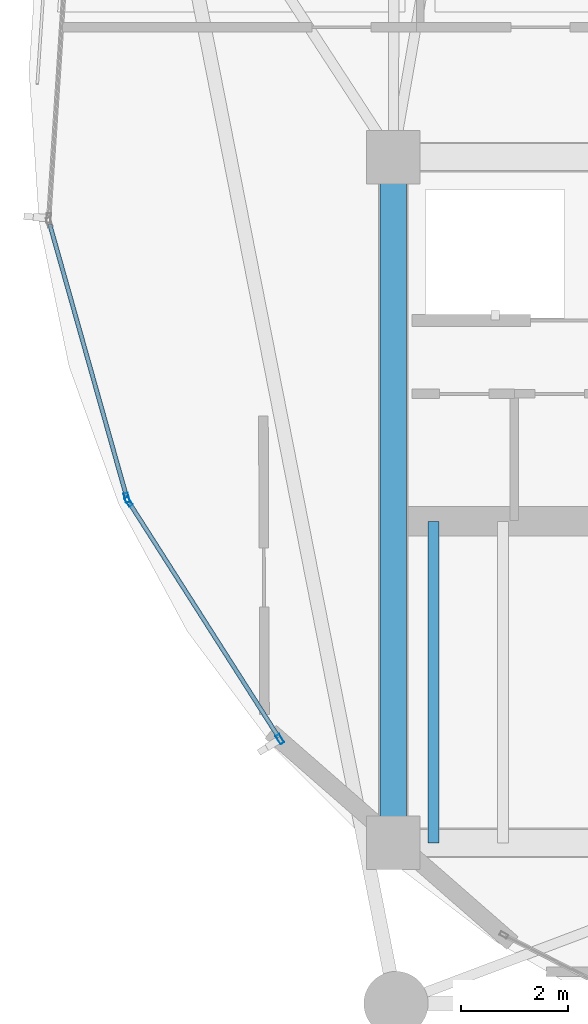
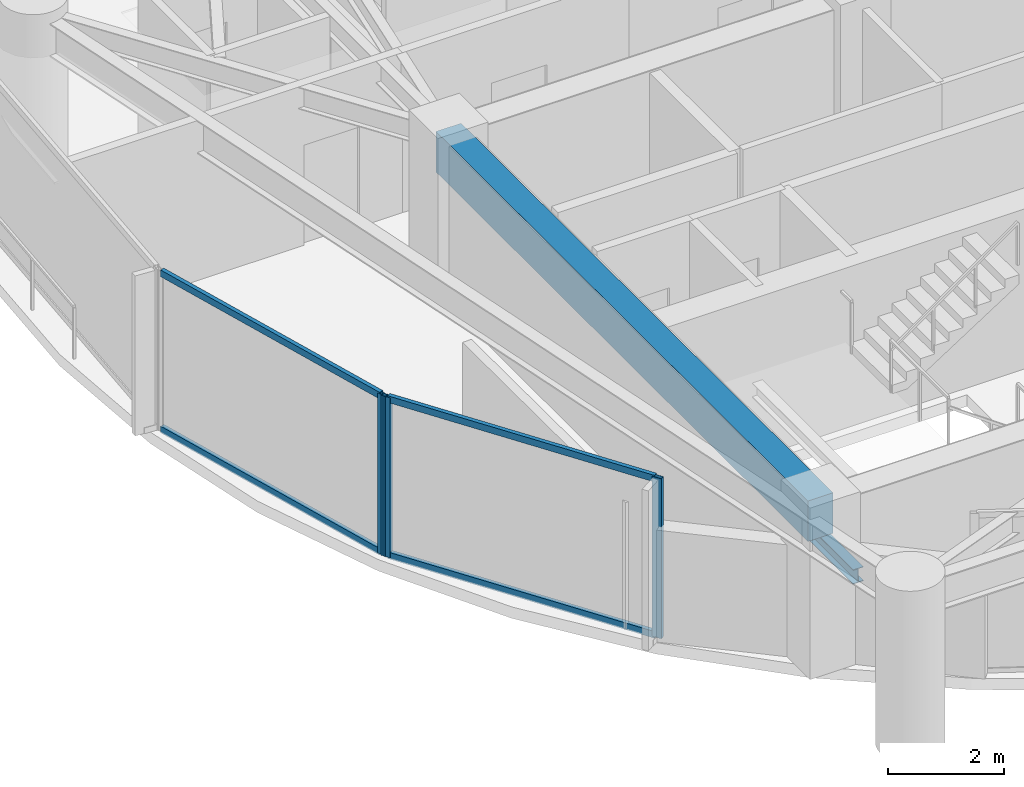
# One storey, part 3 of 30: 7 members, 2 beams, 2 elements without a shape of their own.
"""IFC4 building model written with IfcOpenShell, lengths in metres."""

from ifc_helpers import new_model, si_unit, direction, frame, origin, origin_2d, place, context, subcontext, project, spatial, rectangle, hollow_rectangle, i_section, extrude, material, layer, layer_set, material_profile, profile_set, type_object, element, aggregate, save


model = new_model("IFC4")

# Units and contexts
model_context = context("Model", 3, precision=1e-05, world=origin(), true_north=direction((0.0, 1.0)))
body_context = subcontext(model_context, "Body", "Model", "MODEL_VIEW")
ifc_project = project(units=[si_unit("LENGTHUNIT", "METRE"), si_unit("AREAUNIT", "SQUARE_METRE"), si_unit("VOLUMEUNIT", "CUBIC_METRE"), si_unit("PLANEANGLEUNIT", "RADIAN"), si_unit("MASSUNIT", "GRAM", prefix="KILO")], contexts=[model_context])

# Site, building, storey
site_placement = place(None, origin())
site = spatial("IfcSite", under=ifc_project, at=site_placement, CompositionType="ELEMENT")
building_placement = place(site_placement, origin())
building = spatial("IfcBuilding", under=site, at=building_placement, Name="Kazevale Care Tower and Concert Hall", CompositionType="ELEMENT")
storey_placement = place(building_placement, frame((0.0, 0.0, 127.800048828125)))
storey = spatial("IfcBuildingStorey", under=building, at=storey_placement, Name="L33", CompositionType="ELEMENT", Elevation=127.800048828125)

# Curtain wall, members
ifc_material_1 = material(Name="Aluminium 6063-T6 and Low-E Glass", Category="aluminium")
ifc_layer = layer(ifc_material_1, 0.179931640625)
ifc_layer_set = layer_set([ifc_layer], Name="Aluminium 6063-T6 and Low-E Glass")
curtain_wall_type = type_object("IfcCurtainWallType", Name="Waist & Upper Residential Curtain Wall CW-4", PredefinedType="NOTDEFINED", material=ifc_layer_set)
curtain_wall_1_placement = place(storey_placement, origin())
curtain_wall_1 = element("IfcCurtainWall", 1, at=curtain_wall_1_placement, inside=storey, type_object=curtain_wall_type, Name="cw:L33:f11", PredefinedType="NOTDEFINED")
ifc_material_2 = material(Name="Aluminium 6063-T6", Category="aluminium")
ifc_material_profile_1 = material_profile(ifc_material_2, hollow_rectangle(XDim=0.080078125, YDim=0.179931640625, WallThickness=0.0048828125, at=origin_2d()), Name="ALU80x180x5")
ifc_profile_set_1 = profile_set([ifc_material_profile_1], Name="Aluminium 6063-T6")
member_type_1 = type_object("IfcMemberType", Name="CW-4 Mullion ALU80x180x5", PredefinedType="MULLION", material=ifc_profile_set_1)
member_1_placement = place(storey_placement, frame((19.882568359375, 25.53564453125, 0.0), z_axis=(0.0, 0.0, 1.0), x_axis=(-0.843429930967, -0.537239193981, 0.0)))
member_1 = element("IfcMember", 2, at=member_1_placement, type_object=member_type_1, Name="CW-4 mullion 1", PredefinedType="MULLION", context=body_context, shape_type="SweptSolid", body=[
    extrude(hollow_rectangle(XDim=0.080078125, YDim=0.179931640625, WallThickness=0.0048828125, at=origin_2d()), origin(), (0.0, 0.0, 1.0), 3.35986328125),
])
member_2_placement = place(storey_placement, frame((17.05859375, 29.96923828125, 0.0), z_axis=(0.0, 0.0, 1.0), x_axis=(-0.843429930967, -0.537239193981, 0.0)))
member_2 = element("IfcMember", 3, at=member_2_placement, type_object=member_type_1, Name="CW-4 mullion 2", PredefinedType="MULLION", context=body_context, shape_type="SweptSolid", body=[
    extrude(hollow_rectangle(XDim=0.080078125, YDim=0.179931640625, WallThickness=0.0048828125, at=origin_2d()), origin(), (0.0, 0.0, 1.0), 3.35986328125),
])

# Curtain wall, member
curtain_wall_2_placement = place(storey_placement, origin())
curtain_wall_2 = element("IfcCurtainWall", 4, at=curtain_wall_2_placement, inside=storey, type_object=curtain_wall_type, Name="cw:L33:f12", PredefinedType="NOTDEFINED")
member_3_placement = place(storey_placement, frame((17.026123046875, 30.04150390625, 0.0), z_axis=(0.0, 0.0, 1.0), x_axis=(-0.962499078876, -0.271284948278, 0.0)))
member_3 = element("IfcMember", 5, at=member_3_placement, type_object=member_type_1, Name="CW-4 mullion 1", PredefinedType="MULLION", context=body_context, shape_type="SweptSolid", body=[
    extrude(hollow_rectangle(XDim=0.080078125, YDim=0.179931640625, WallThickness=0.0048828125, at=origin_2d()), origin(), (0.0, 0.0, 1.0), 3.35986328125),
])

# Member
ifc_material_profile_2 = material_profile(ifc_material_2, hollow_rectangle(XDim=0.080078125, YDim=0.139892578125, WallThickness=0.00390625, at=origin_2d()), Name="ALU80x140x4")
ifc_profile_set_2 = profile_set([ifc_material_profile_2], Name="Aluminium 6063-T6")
member_type_2 = type_object("IfcMemberType", Name="CW-4 Transom ALU80x140x4", PredefinedType="USERDEFINED", material=ifc_profile_set_2)
member_4_placement = place(storey_placement, frame((19.861083984375, 25.569580078125, 0.0400390625), z_axis=(-0.537241653837, 0.843428364109, 0.0), x_axis=(-0.843428364109, -0.537241653837, 0.0)))
member_4 = element("IfcMember", 6, at=member_4_placement, type_object=member_type_2, Name="CW-4 transom 1.1", ObjectType="TRANSOM", PredefinedType="USERDEFINED", context=body_context, shape_type="SweptSolid", body=[
    extrude(hollow_rectangle(XDim=0.080078125, YDim=0.139892578125, WallThickness=0.00390625, at=origin_2d()), origin(), (0.0, 0.0, 1.0), 5.176513671875),
])

member_5_placement = place(storey_placement, frame((19.861083984375, 25.569580078125, 3.320068359375), z_axis=(-0.537241653837, 0.843428364109, 0.0), x_axis=(-0.843428364109, -0.537241653837, 0.0)))
member_5 = element("IfcMember", 7, at=member_5_placement, type_object=member_type_2, Name="CW-4 transom 1.2", ObjectType="TRANSOM", PredefinedType="USERDEFINED", context=body_context, shape_type="SweptSolid", body=[
    extrude(hollow_rectangle(XDim=0.080078125, YDim=0.139892578125, WallThickness=0.00390625, at=origin_2d()), origin(), (0.0, 0.0, 1.0), 5.176513671875),
])

aggregate(curtain_wall_1, [member_1, member_2, member_4, member_5])

member_6_placement = place(storey_placement, frame((17.015380859375, 30.080078125, 0.0400390625), z_axis=(-0.271312503244, 0.962491311952, 0.0), x_axis=(-0.962491311952, -0.271312503244, 0.0)))
member_6 = element("IfcMember", 8, at=member_6_placement, type_object=member_type_2, Name="CW-4 transom 1.1", ObjectType="TRANSOM", PredefinedType="USERDEFINED", context=body_context, shape_type="SweptSolid", body=[
    extrude(hollow_rectangle(XDim=0.080078125, YDim=0.139892578125, WallThickness=0.00390625, at=origin_2d()), origin(), (0.0, 0.0, 1.0), 5.26220703125),
])

member_7_placement = place(storey_placement, frame((17.015380859375, 30.080078125, 3.320068359375), z_axis=(-0.271312503244, 0.962491311952, 0.0), x_axis=(-0.962491311952, -0.271312503244, 0.0)))
member_7 = element("IfcMember", 9, at=member_7_placement, type_object=member_type_2, Name="CW-4 transom 1.2", ObjectType="TRANSOM", PredefinedType="USERDEFINED", context=body_context, shape_type="SweptSolid", body=[
    extrude(hollow_rectangle(XDim=0.080078125, YDim=0.139892578125, WallThickness=0.00390625, at=origin_2d()), origin(), (0.0, 0.0, 1.0), 5.26220703125),
])

aggregate(curtain_wall_2, [member_3, member_6, member_7])

# Beams
ifc_material_3 = material(Name="Concrete C60", Category="concrete")
ifc_material_profile_3 = material_profile(ifc_material_3, rectangle(XDim=0.5, YDim=0.85009765625, at=origin_2d()), Name="RC-B500x850")
ifc_profile_set_3 = profile_set([ifc_material_profile_3], Name="Concrete C60")
beam_type_1 = type_object("IfcBeamType", Name="Core Coupling Beam RC500x850", PredefinedType="LINTEL", material=ifc_profile_set_3)
beam_1_placement = place(storey_placement, frame((22.0, 36.39990234375, 2.93505859375), z_axis=(0.0, -1.0, 0.0), x_axis=(1.0, 0.0, 0.0)))
element("IfcBeam", 10, at=beam_1_placement, inside=storey, type_object=beam_type_1, Name="beam:L33:coretie:8", PredefinedType="LINTEL", context=body_context, shape_type="SweptSolid", body=[
    extrude(rectangle(XDim=0.5, YDim=0.85009765625, at=origin_2d()), origin(), (0.0, 0.0, 1.0), 12.7998046875),
])
ifc_material_4 = material(Name="Steel ASTM A572 Gr 50", Category="steel")
ifc_material_profile_4 = material_profile(ifc_material_4, i_section(OverallWidth=0.202880859375, OverallDepth=0.302978515625, WebThickness=0.007568359375, FlangeThickness=0.01318359375, at=origin_2d()), Name="W310x60")
ifc_profile_set_4 = profile_set([ifc_material_profile_4], Name="Steel ASTM A572 Gr 50")
beam_type_2 = type_object("IfcBeamType", Name="Stair & Balcony Trimmer W310x60", PredefinedType="BEAM", material=ifc_profile_set_4)
beam_2_placement = place(storey_placement, frame((22.75, 23.60009765625, 1.448486328125), z_axis=(0.0, 1.0, 0.0), x_axis=(-1.0, 0.0, 0.0)))
element("IfcBeam", 11, at=beam_2_placement, inside=storey, type_object=beam_type_2, Name="beam:L33:sttrim:ST1", PredefinedType="BEAM", context=body_context, shape_type="SweptSolid", body=[
    extrude(i_section(OverallWidth=0.202880859375, OverallDepth=0.302978515625, WebThickness=0.007568359375, FlangeThickness=0.01318359375, at=origin_2d()), origin(), (0.0, 0.0, 1.0), 6.0),
])

save(model, "model.ifc")
